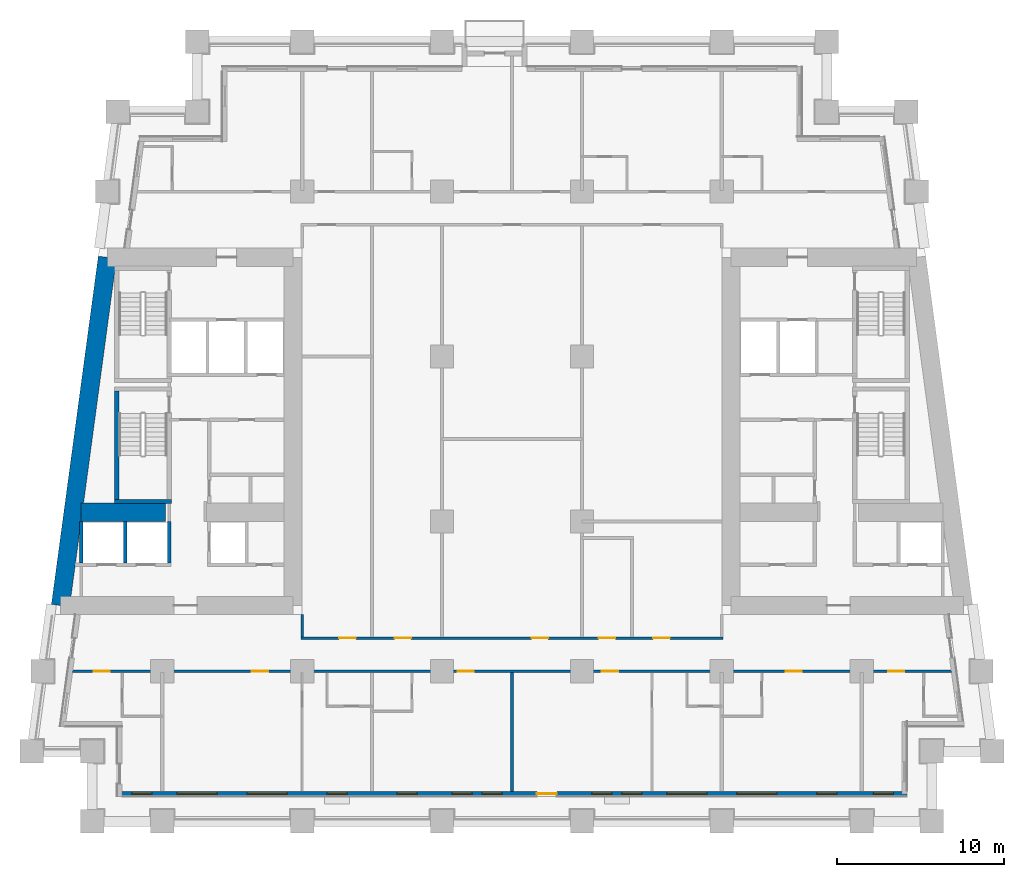
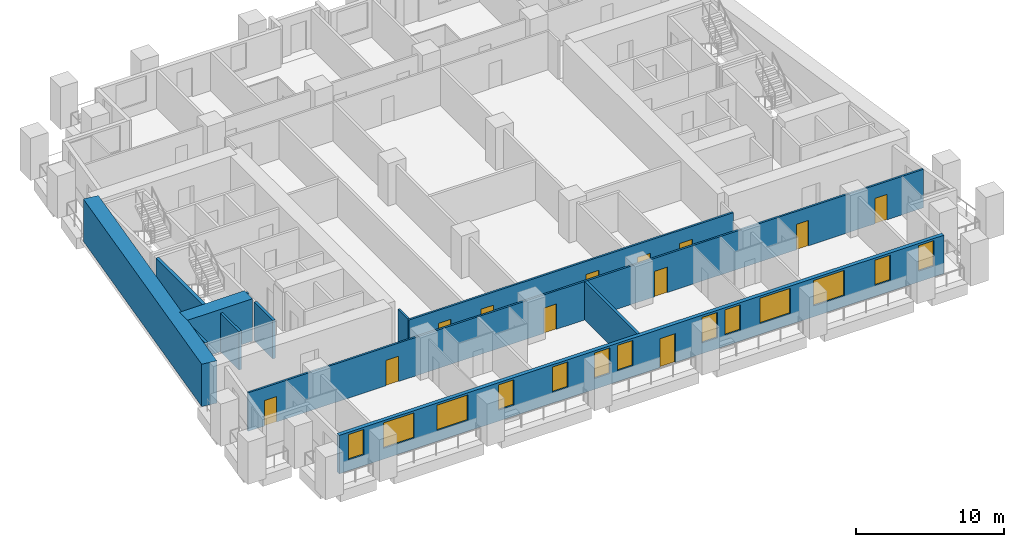
# One storey, part 3 of 12: 13 windows, 12 doors, 12 walls, 25 openings.
"""IFC4 building model written with IfcOpenShell, lengths in metres."""

from ifc_helpers import new_model, si_unit, direction, frame, frame_2d, origin, place, context, subcontext, project, spatial, rectangle, extrude, material, layer, layer_set, type_object, element, fill, save


model = new_model("IFC4")

# Units and contexts
model_context = context("Model", 3, precision=1e-05, world=origin(), true_north=direction((0.0, 1.0)))
body_context = subcontext(model_context, "Body", "Model", "MODEL_VIEW")
ifc_project = project(units=[si_unit("LENGTHUNIT", "METRE"), si_unit("AREAUNIT", "SQUARE_METRE"), si_unit("VOLUMEUNIT", "CUBIC_METRE"), si_unit("PLANEANGLEUNIT", "RADIAN"), si_unit("MASSUNIT", "GRAM", prefix="KILO")], contexts=[model_context])

# Site, building, storey
site_placement = place(None, origin())
site = spatial("IfcSite", under=ifc_project, at=site_placement, CompositionType="ELEMENT")
building_placement = place(site_placement, origin())
building = spatial("IfcBuilding", under=site, at=building_placement, Name="Candeia Pilgrim Tower and Theatre", CompositionType="ELEMENT")
storey_placement = place(building_placement, frame((0.0, 0.0, 74.0)))
storey = spatial("IfcBuildingStorey", under=building, at=storey_placement, Name="L16", CompositionType="ELEMENT", Elevation=74.0)

# Walls
ifc_material_1 = material(Name="Concrete C80/95", Category="concrete")
ifc_layer_1 = layer(ifc_material_1, 1.10009765625)
ifc_layer_set_1 = layer_set([ifc_layer_1], Name="Core wall 1100 C80/95")
wall_type_1 = type_object("IfcWallType", Name="Core wall 1100 C80/95", PredefinedType="SHEAR", material=ifc_layer_set_1)
wall_1_placement = place(storey_placement, frame((86.29833984375, 110.949951171875, 0.0), z_axis=(0.0, 0.0, 1.0), x_axis=(0.133400422634, 0.99106222168, 0.0)))
element("IfcWall", 1, at=wall_1_placement, inside=storey, type_object=wall_type_1, Name="Core wall W4", PredefinedType="SHEAR", context=body_context, shape_type="SweptSolid", body=[
    extrude(rectangle(XDim=21.088623046875, YDim=1.10009765625, at=frame_2d((10.54443359375, 0.0))), origin(), (0.0, 0.0, 1.0), 3.5),
])
wall_2_placement = place(storey_placement, frame((87.523193359375, 116.550048828125, 0.0), z_axis=(0.0, 0.0, 1.0), x_axis=(1.0, 0.0, 0.0)))
element("IfcWall", 2, at=wall_2_placement, inside=storey, type_object=wall_type_1, Name="Core wall W5", PredefinedType="SHEAR", context=body_context, shape_type="SweptSolid", body=[
    extrude(rectangle(XDim=5.076904296875, YDim=1.10009765625, at=frame_2d((2.53857421875, 0.0))), origin(), (0.0, 0.0, 1.0), 3.5),
])

# Wall, openings, door, windows
ifc_material_2 = material(Name="Ceramic block masonry", Category="masonry")
ifc_layer_2 = layer(ifc_material_2, 0.300048828125)
ifc_layer_set_2 = layer_set([ifc_layer_2], Name="EW1 glazing-line wall 300")
wall_type_2 = type_object("IfcWallType", Name="EW1 glazing-line wall 300", PredefinedType="SOLIDWALL", material=ifc_layer_set_2)
wall_3_placement = place(storey_placement, frame((89.85009765625, 99.64990234375, 0.0), z_axis=(0.0, 0.0, 1.0), x_axis=(1.0, 0.0, 0.0)))
wall_3 = element("IfcWall", 3, at=wall_3_placement, inside=storey, type_object=wall_type_2, Name="External wall L16-0.0", PredefinedType="SOLIDWALL", context=body_context, shape_type="SweptSolid", body=[
    extrude(rectangle(XDim=47.25, YDim=0.300048828125, at=frame_2d((23.625, 0.0))), origin(), (0.0, 0.0, 1.0), 3.179931640625),
])
opening_1_placement = place(wall_3_placement, frame((0.72509765625, 0.0, 0.89990234375)))
opening_1 = element("IfcOpeningElement", 4, at=opening_1_placement, cuts=wall_3, Name="Opening W-B", PredefinedType="OPENING", context=body_context, shape_type="SweptSolid", body=[
    extrude(rectangle(XDim=1.199951171875, YDim=2.10009765625, at=frame_2d((0.60009765625, 1.050048828125))), frame((0.0, 0.16015625, 0.0), z_axis=(0.0, -1.0, 0.0), x_axis=(1.0, 0.0, 0.0)), (0.0, 0.0, 1.0), 0.320068359375),
])
opening_2_placement = place(wall_3_placement, frame((3.449951171875, 0.0, 0.89990234375)))
opening_2 = element("IfcOpeningElement", 5, at=opening_2_placement, cuts=wall_3, Name="Opening W-A", PredefinedType="OPENING", context=body_context, shape_type="SweptSolid", body=[
    extrude(rectangle(XDim=2.39990234375, YDim=2.10009765625, at=frame_2d((1.199951171875, 1.050048828125))), frame((0.0, 0.16015625, 0.0), z_axis=(0.0, -1.0, 0.0), x_axis=(1.0, 0.0, 0.0)), (0.0, 0.0, 1.0), 0.320068359375),
])
opening_3_placement = place(wall_3_placement, frame((7.64990234375, 0.0, 0.89990234375)))
opening_3 = element("IfcOpeningElement", 6, at=opening_3_placement, cuts=wall_3, Name="Opening W-A", PredefinedType="OPENING", context=body_context, shape_type="SweptSolid", body=[
    extrude(rectangle(XDim=2.39990234375, YDim=2.10009765625, at=frame_2d((1.199951171875, 1.050048828125))), frame((0.0, 0.16015625, 0.0), z_axis=(0.0, -1.0, 0.0), x_axis=(1.0, 0.0, 0.0)), (0.0, 0.0, 1.0), 0.320068359375),
])
opening_4_placement = place(wall_3_placement, frame((12.449951171875, 0.0, 0.89990234375)))
opening_4 = element("IfcOpeningElement", 7, at=opening_4_placement, cuts=wall_3, Name="Opening W-B", PredefinedType="OPENING", context=body_context, shape_type="SweptSolid", body=[
    extrude(rectangle(XDim=1.199951171875, YDim=2.10009765625, at=frame_2d((0.60009765625, 1.050048828125))), frame((0.0, 0.16015625, 0.0), z_axis=(0.0, -1.0, 0.0), x_axis=(1.0, 0.0, 0.0)), (0.0, 0.0, 1.0), 0.320068359375),
])
opening_5_placement = place(wall_3_placement, frame((16.64990234375, 0.0, 0.89990234375)))
opening_5 = element("IfcOpeningElement", 8, at=opening_5_placement, cuts=wall_3, Name="Opening W-B", PredefinedType="OPENING", context=body_context, shape_type="SweptSolid", body=[
    extrude(rectangle(XDim=1.199951171875, YDim=2.10009765625, at=frame_2d((0.60009765625, 1.050048828125))), frame((0.0, 0.16015625, 0.0), z_axis=(0.0, -1.0, 0.0), x_axis=(1.0, 0.0, 0.0)), (0.0, 0.0, 1.0), 0.320068359375),
])
opening_6_placement = place(wall_3_placement, frame((19.949951171875, 0.0, 0.89990234375)))
opening_6 = element("IfcOpeningElement", 9, at=opening_6_placement, cuts=wall_3, Name="Opening W-B", PredefinedType="OPENING", context=body_context, shape_type="SweptSolid", body=[
    extrude(rectangle(XDim=1.199951171875, YDim=2.10009765625, at=frame_2d((0.60009765625, 1.050048828125))), frame((0.0, 0.16015625, 0.0), z_axis=(0.0, -1.0, 0.0), x_axis=(1.0, 0.0, 0.0)), (0.0, 0.0, 1.0), 0.320068359375),
])
opening_7_placement = place(wall_3_placement, frame((21.75, 0.0, 0.89990234375)))
opening_7 = element("IfcOpeningElement", 10, at=opening_7_placement, cuts=wall_3, Name="Opening W-B", PredefinedType="OPENING", context=body_context, shape_type="SweptSolid", body=[
    extrude(rectangle(XDim=1.199951171875, YDim=2.10009765625, at=frame_2d((0.60009765625, 1.050048828125))), frame((0.0, 0.16015625, 0.0), z_axis=(0.0, -1.0, 0.0), x_axis=(1.0, 0.0, 0.0)), (0.0, 0.0, 1.0), 0.320068359375),
])
opening_8_placement = place(wall_3_placement, frame((25.050048828125, 0.0, 0.0)))
opening_8 = element("IfcOpeningElement", 11, at=opening_8_placement, cuts=wall_3, Name="Opening L16-ED175", PredefinedType="OPENING", context=body_context, shape_type="SweptSolid", body=[
    extrude(rectangle(XDim=1.199951171875, YDim=2.39990234375, at=frame_2d((0.60009765625, 1.199951171875))), frame((0.0, 0.16015625, 0.0), z_axis=(0.0, -1.0, 0.0), x_axis=(1.0, 0.0, 0.0)), (0.0, 0.0, 1.0), 0.320068359375),
])
opening_9_placement = place(wall_3_placement, frame((28.35009765625, 0.0, 0.89990234375)))
opening_9 = element("IfcOpeningElement", 12, at=opening_9_placement, cuts=wall_3, Name="Opening W-B", PredefinedType="OPENING", context=body_context, shape_type="SweptSolid", body=[
    extrude(rectangle(XDim=1.199951171875, YDim=2.10009765625, at=frame_2d((0.60009765625, 1.050048828125))), frame((0.0, 0.16015625, 0.0), z_axis=(0.0, -1.0, 0.0), x_axis=(1.0, 0.0, 0.0)), (0.0, 0.0, 1.0), 0.320068359375),
])
opening_10_placement = place(wall_3_placement, frame((30.14990234375, 0.0, 0.89990234375)))
opening_10 = element("IfcOpeningElement", 13, at=opening_10_placement, cuts=wall_3, Name="Opening W-B", PredefinedType="OPENING", context=body_context, shape_type="SweptSolid", body=[
    extrude(rectangle(XDim=1.199951171875, YDim=2.10009765625, at=frame_2d((0.60009765625, 1.050048828125))), frame((0.0, 0.16015625, 0.0), z_axis=(0.0, -1.0, 0.0), x_axis=(1.0, 0.0, 0.0)), (0.0, 0.0, 1.0), 0.320068359375),
])
opening_11_placement = place(wall_3_placement, frame((32.85009765625, 0.0, 0.89990234375)))
opening_11 = element("IfcOpeningElement", 14, at=opening_11_placement, cuts=wall_3, Name="Opening W-A", PredefinedType="OPENING", context=body_context, shape_type="SweptSolid", body=[
    extrude(rectangle(XDim=2.39990234375, YDim=2.10009765625, at=frame_2d((1.199951171875, 1.050048828125))), frame((0.0, 0.16015625, 0.0), z_axis=(0.0, -1.0, 0.0), x_axis=(1.0, 0.0, 0.0)), (0.0, 0.0, 1.0), 0.320068359375),
])
opening_12_placement = place(wall_3_placement, frame((37.050048828125, 0.0, 0.89990234375)))
opening_12 = element("IfcOpeningElement", 15, at=opening_12_placement, cuts=wall_3, Name="Opening W-A", PredefinedType="OPENING", context=body_context, shape_type="SweptSolid", body=[
    extrude(rectangle(XDim=2.39990234375, YDim=2.10009765625, at=frame_2d((1.199951171875, 1.050048828125))), frame((0.0, 0.16015625, 0.0), z_axis=(0.0, -1.0, 0.0), x_axis=(1.0, 0.0, 0.0)), (0.0, 0.0, 1.0), 0.320068359375),
])
opening_13_placement = place(wall_3_placement, frame((41.85009765625, 0.0, 0.89990234375)))
opening_13 = element("IfcOpeningElement", 16, at=opening_13_placement, cuts=wall_3, Name="Opening W-B", PredefinedType="OPENING", context=body_context, shape_type="SweptSolid", body=[
    extrude(rectangle(XDim=1.199951171875, YDim=2.10009765625, at=frame_2d((0.60009765625, 1.050048828125))), frame((0.0, 0.16015625, 0.0), z_axis=(0.0, -1.0, 0.0), x_axis=(1.0, 0.0, 0.0)), (0.0, 0.0, 1.0), 0.320068359375),
])
opening_14_placement = place(wall_3_placement, frame((45.25, 0.0, 0.89990234375)))
opening_14 = element("IfcOpeningElement", 17, at=opening_14_placement, cuts=wall_3, Name="Opening W-B", PredefinedType="OPENING", context=body_context, shape_type="SweptSolid", body=[
    extrude(rectangle(XDim=1.199951171875, YDim=2.10009765625, at=frame_2d((0.60009765625, 1.050048828125))), frame((0.0, 0.16015625, 0.0), z_axis=(0.0, -1.0, 0.0), x_axis=(1.0, 0.0, 0.0)), (0.0, 0.0, 1.0), 0.320068359375),
])
ifc_material_3 = material(Name="Aluminium framed glazed door", Category="aluminium")
door_type_1 = type_object("IfcDoorType", Name="Loggia door 1200x2400", OperationType="DOUBLE_DOOR_SINGLE_SWING", PredefinedType="DOOR", material=ifc_material_3)
door_1_placement = place(opening_8_placement, origin())
door_1 = element("IfcDoor", 18, at=door_1_placement, inside=storey, type_object=door_type_1, Name="Loggia door L16-ED175", OperationType="DOUBLE_DOOR_SINGLE_SWING", OverallHeight=2.39990234375, OverallWidth=1.199951171875, PredefinedType="DOOR", context=body_context, shape_type="SweptSolid", body=[
    extrude(rectangle(XDim=1.199951171875, YDim=2.39990234375, at=frame_2d((0.60009765625, 1.199951171875))), frame((0.0, 0.02490234375, 0.0), z_axis=(0.0, -1.0, 0.0), x_axis=(1.0, 0.0, 0.0)), (0.0, 0.0, 1.0), 0.050048828125),
])
fill(opening_8, door_1)
ifc_material_4 = material(Name="Aluminium framed double glazing", Category="aluminium")
window_type_1 = type_object("IfcWindowType", Name="W-A window 2400x2100", PartitioningType="DOUBLE_PANEL_VERTICAL", PredefinedType="WINDOW", material=ifc_material_4)
window_1_placement = place(opening_2_placement, origin())
window_1 = element("IfcWindow", 19, at=window_1_placement, inside=storey, type_object=window_type_1, Name="Window W-A L16", OverallHeight=2.10009765625, OverallWidth=2.39990234375, PartitioningType="SINGLE_PANEL", PredefinedType="WINDOW", context=body_context, shape_type="SweptSolid", body=[
    extrude(rectangle(XDim=2.39990234375, YDim=2.10009765625, at=frame_2d((1.199951171875, 1.050048828125))), frame((0.0, 0.030029296875, 0.0), z_axis=(0.0, -1.0, 0.0), x_axis=(1.0, 0.0, 0.0)), (0.0, 0.0, 1.0), 0.06005859375),
])
fill(opening_2, window_1)
window_2_placement = place(opening_3_placement, origin())
window_2 = element("IfcWindow", 20, at=window_2_placement, inside=storey, type_object=window_type_1, Name="Window W-A L16", OverallHeight=2.10009765625, OverallWidth=2.39990234375, PartitioningType="SINGLE_PANEL", PredefinedType="WINDOW", context=body_context, shape_type="SweptSolid", body=[
    extrude(rectangle(XDim=2.39990234375, YDim=2.10009765625, at=frame_2d((1.199951171875, 1.050048828125))), frame((0.0, 0.030029296875, 0.0), z_axis=(0.0, -1.0, 0.0), x_axis=(1.0, 0.0, 0.0)), (0.0, 0.0, 1.0), 0.06005859375),
])
fill(opening_3, window_2)
window_3_placement = place(opening_11_placement, origin())
window_3 = element("IfcWindow", 21, at=window_3_placement, inside=storey, type_object=window_type_1, Name="Window W-A L16", OverallHeight=2.10009765625, OverallWidth=2.39990234375, PartitioningType="SINGLE_PANEL", PredefinedType="WINDOW", context=body_context, shape_type="SweptSolid", body=[
    extrude(rectangle(XDim=2.39990234375, YDim=2.10009765625, at=frame_2d((1.199951171875, 1.050048828125))), frame((0.0, 0.030029296875, 0.0), z_axis=(0.0, -1.0, 0.0), x_axis=(1.0, 0.0, 0.0)), (0.0, 0.0, 1.0), 0.06005859375),
])
fill(opening_11, window_3)
window_4_placement = place(opening_12_placement, origin())
window_4 = element("IfcWindow", 22, at=window_4_placement, inside=storey, type_object=window_type_1, Name="Window W-A L16", OverallHeight=2.10009765625, OverallWidth=2.39990234375, PartitioningType="SINGLE_PANEL", PredefinedType="WINDOW", context=body_context, shape_type="SweptSolid", body=[
    extrude(rectangle(XDim=2.39990234375, YDim=2.10009765625, at=frame_2d((1.199951171875, 1.050048828125))), frame((0.0, 0.030029296875, 0.0), z_axis=(0.0, -1.0, 0.0), x_axis=(1.0, 0.0, 0.0)), (0.0, 0.0, 1.0), 0.06005859375),
])
fill(opening_12, window_4)
window_type_2 = type_object("IfcWindowType", Name="W-B window 1200x2100", PartitioningType="SINGLE_PANEL", PredefinedType="WINDOW", material=ifc_material_4)
window_5_placement = place(opening_1_placement, origin())
window_5 = element("IfcWindow", 23, at=window_5_placement, inside=storey, type_object=window_type_2, Name="Window W-B L16", OverallHeight=2.10009765625, OverallWidth=1.199951171875, PartitioningType="SINGLE_PANEL", PredefinedType="WINDOW", context=body_context, shape_type="SweptSolid", body=[
    extrude(rectangle(XDim=1.199951171875, YDim=2.10009765625, at=frame_2d((0.60009765625, 1.050048828125))), frame((0.0, 0.030029296875, 0.0), z_axis=(0.0, -1.0, 0.0), x_axis=(1.0, 0.0, 0.0)), (0.0, 0.0, 1.0), 0.06005859375),
])
fill(opening_1, window_5)
window_6_placement = place(opening_4_placement, origin())
window_6 = element("IfcWindow", 24, at=window_6_placement, inside=storey, type_object=window_type_2, Name="Window W-B L16", OverallHeight=2.10009765625, OverallWidth=1.199951171875, PartitioningType="SINGLE_PANEL", PredefinedType="WINDOW", context=body_context, shape_type="SweptSolid", body=[
    extrude(rectangle(XDim=1.199951171875, YDim=2.10009765625, at=frame_2d((0.60009765625, 1.050048828125))), frame((0.0, 0.030029296875, 0.0), z_axis=(0.0, -1.0, 0.0), x_axis=(1.0, 0.0, 0.0)), (0.0, 0.0, 1.0), 0.06005859375),
])
fill(opening_4, window_6)
window_7_placement = place(opening_5_placement, origin())
window_7 = element("IfcWindow", 25, at=window_7_placement, inside=storey, type_object=window_type_2, Name="Window W-B L16", OverallHeight=2.10009765625, OverallWidth=1.199951171875, PartitioningType="SINGLE_PANEL", PredefinedType="WINDOW", context=body_context, shape_type="SweptSolid", body=[
    extrude(rectangle(XDim=1.199951171875, YDim=2.10009765625, at=frame_2d((0.60009765625, 1.050048828125))), frame((0.0, 0.030029296875, 0.0), z_axis=(0.0, -1.0, 0.0), x_axis=(1.0, 0.0, 0.0)), (0.0, 0.0, 1.0), 0.06005859375),
])
fill(opening_5, window_7)
window_8_placement = place(opening_6_placement, origin())
window_8 = element("IfcWindow", 26, at=window_8_placement, inside=storey, type_object=window_type_2, Name="Window W-B L16", OverallHeight=2.10009765625, OverallWidth=1.199951171875, PartitioningType="SINGLE_PANEL", PredefinedType="WINDOW", context=body_context, shape_type="SweptSolid", body=[
    extrude(rectangle(XDim=1.199951171875, YDim=2.10009765625, at=frame_2d((0.60009765625, 1.050048828125))), frame((0.0, 0.030029296875, 0.0), z_axis=(0.0, -1.0, 0.0), x_axis=(1.0, 0.0, 0.0)), (0.0, 0.0, 1.0), 0.06005859375),
])
fill(opening_6, window_8)
window_9_placement = place(opening_7_placement, origin())
window_9 = element("IfcWindow", 27, at=window_9_placement, inside=storey, type_object=window_type_2, Name="Window W-B L16", OverallHeight=2.10009765625, OverallWidth=1.199951171875, PartitioningType="SINGLE_PANEL", PredefinedType="WINDOW", context=body_context, shape_type="SweptSolid", body=[
    extrude(rectangle(XDim=1.199951171875, YDim=2.10009765625, at=frame_2d((0.60009765625, 1.050048828125))), frame((0.0, 0.030029296875, 0.0), z_axis=(0.0, -1.0, 0.0), x_axis=(1.0, 0.0, 0.0)), (0.0, 0.0, 1.0), 0.06005859375),
])
fill(opening_7, window_9)
window_10_placement = place(opening_9_placement, origin())
window_10 = element("IfcWindow", 28, at=window_10_placement, inside=storey, type_object=window_type_2, Name="Window W-B L16", OverallHeight=2.10009765625, OverallWidth=1.199951171875, PartitioningType="SINGLE_PANEL", PredefinedType="WINDOW", context=body_context, shape_type="SweptSolid", body=[
    extrude(rectangle(XDim=1.199951171875, YDim=2.10009765625, at=frame_2d((0.60009765625, 1.050048828125))), frame((0.0, 0.030029296875, 0.0), z_axis=(0.0, -1.0, 0.0), x_axis=(1.0, 0.0, 0.0)), (0.0, 0.0, 1.0), 0.06005859375),
])
fill(opening_9, window_10)
window_11_placement = place(opening_10_placement, origin())
window_11 = element("IfcWindow", 29, at=window_11_placement, inside=storey, type_object=window_type_2, Name="Window W-B L16", OverallHeight=2.10009765625, OverallWidth=1.199951171875, PartitioningType="SINGLE_PANEL", PredefinedType="WINDOW", context=body_context, shape_type="SweptSolid", body=[
    extrude(rectangle(XDim=1.199951171875, YDim=2.10009765625, at=frame_2d((0.60009765625, 1.050048828125))), frame((0.0, 0.030029296875, 0.0), z_axis=(0.0, -1.0, 0.0), x_axis=(1.0, 0.0, 0.0)), (0.0, 0.0, 1.0), 0.06005859375),
])
fill(opening_10, window_11)
window_12_placement = place(opening_13_placement, origin())
window_12 = element("IfcWindow", 30, at=window_12_placement, inside=storey, type_object=window_type_2, Name="Window W-B L16", OverallHeight=2.10009765625, OverallWidth=1.199951171875, PartitioningType="SINGLE_PANEL", PredefinedType="WINDOW", context=body_context, shape_type="SweptSolid", body=[
    extrude(rectangle(XDim=1.199951171875, YDim=2.10009765625, at=frame_2d((0.60009765625, 1.050048828125))), frame((0.0, 0.030029296875, 0.0), z_axis=(0.0, -1.0, 0.0), x_axis=(1.0, 0.0, 0.0)), (0.0, 0.0, 1.0), 0.06005859375),
])
fill(opening_13, window_12)
window_13_placement = place(opening_14_placement, origin())
window_13 = element("IfcWindow", 31, at=window_13_placement, inside=storey, type_object=window_type_2, Name="Window W-B L16", OverallHeight=2.10009765625, OverallWidth=1.199951171875, PartitioningType="SINGLE_PANEL", PredefinedType="WINDOW", context=body_context, shape_type="SweptSolid", body=[
    extrude(rectangle(XDim=1.199951171875, YDim=2.10009765625, at=frame_2d((0.60009765625, 1.050048828125))), frame((0.0, 0.030029296875, 0.0), z_axis=(0.0, -1.0, 0.0), x_axis=(1.0, 0.0, 0.0)), (0.0, 0.0, 1.0), 0.06005859375),
])
fill(opening_14, window_13)

# Wall, openings, doors
ifc_material_5 = material(Name="Gypsum board partition on steel studs", Category="steel")
ifc_layer_3 = layer(ifc_material_5, 0.14990234375)
ifc_layer_set_3 = layer_set([ifc_layer_3], Name="PW-150 unit wall")
wall_type_3 = type_object("IfcWallType", Name="PW-150 unit wall", PredefinedType="PARTITIONING", material=ifc_layer_set_3)
wall_4_placement = place(storey_placement, frame((87.017578125, 107.0, 0.0), z_axis=(0.0, 0.0, 1.0), x_axis=(1.0, 0.0, 0.0)))
wall_4 = element("IfcWall", 32, at=wall_4_placement, inside=storey, type_object=wall_type_3, Name="Unit wall L16-007", PredefinedType="PARTITIONING", context=body_context, shape_type="SweptSolid", body=[
    extrude(rectangle(XDim=52.7646484375, YDim=0.14990234375, at=frame_2d((26.38232421875, 0.0))), origin(), (0.0, 0.0, 1.0), 3.179931640625),
])
opening_15_placement = place(wall_4_placement, frame((1.2763671875, 0.0, 0.0)))
opening_15 = element("IfcOpeningElement", 33, at=opening_15_placement, cuts=wall_4, Name="Opening L16-D014", PredefinedType="OPENING", context=body_context, shape_type="SweptSolid", body=[
    extrude(rectangle(XDim=0.949951171875, YDim=2.10009765625, at=frame_2d((0.47509765625, 1.050048828125))), frame((0.0, 0.0849609375, 0.0), z_axis=(0.0, -1.0, 0.0), x_axis=(1.0, 0.0, 0.0)), (0.0, 0.0, 1.0), 0.169921875),
])
opening_16_placement = place(wall_4_placement, frame((10.75732421875, 0.0, 0.0)))
opening_16 = element("IfcOpeningElement", 34, at=opening_16_placement, cuts=wall_4, Name="Opening L16-D016", PredefinedType="OPENING", context=body_context, shape_type="SweptSolid", body=[
    extrude(rectangle(XDim=1.0, YDim=2.10009765625, at=frame_2d((0.5, 1.050048828125))), frame((0.0, 0.0849609375, 0.0), z_axis=(0.0, -1.0, 0.0), x_axis=(1.0, 0.0, 0.0)), (0.0, 0.0, 1.0), 0.169921875),
])
opening_17_placement = place(wall_4_placement, frame((23.125244140625, 0.0, 0.0)))
opening_17 = element("IfcOpeningElement", 35, at=opening_17_placement, cuts=wall_4, Name="Opening L16-D019", PredefinedType="OPENING", context=body_context, shape_type="SweptSolid", body=[
    extrude(rectangle(XDim=0.949951171875, YDim=2.10009765625, at=frame_2d((0.47509765625, 1.050048828125))), frame((0.0, 0.0849609375, 0.0), z_axis=(0.0, -1.0, 0.0), x_axis=(1.0, 0.0, 0.0)), (0.0, 0.0, 1.0), 0.169921875),
])
opening_18_placement = place(wall_4_placement, frame((31.75732421875, 0.0, 0.0)))
opening_18 = element("IfcOpeningElement", 36, at=opening_18_placement, cuts=wall_4, Name="Opening L16-D021", PredefinedType="OPENING", context=body_context, shape_type="SweptSolid", body=[
    extrude(rectangle(XDim=1.0, YDim=2.10009765625, at=frame_2d((0.5, 1.050048828125))), frame((0.0, 0.0849609375, 0.0), z_axis=(0.0, -1.0, 0.0), x_axis=(1.0, 0.0, 0.0)), (0.0, 0.0, 1.0), 0.169921875),
])
opening_19_placement = place(wall_4_placement, frame((42.8193359375, 0.0, 0.0)))
opening_19 = element("IfcOpeningElement", 37, at=opening_19_placement, cuts=wall_4, Name="Opening L16-D024", PredefinedType="OPENING", context=body_context, shape_type="SweptSolid", body=[
    extrude(rectangle(XDim=0.949951171875, YDim=2.10009765625, at=frame_2d((0.47509765625, 1.050048828125))), frame((0.0, 0.0849609375, 0.0), z_axis=(0.0, -1.0, 0.0), x_axis=(1.0, 0.0, 0.0)), (0.0, 0.0, 1.0), 0.169921875),
])
opening_20_placement = place(wall_4_placement, frame((48.974365234375, 0.0, 0.0)))
opening_20 = element("IfcOpeningElement", 38, at=opening_20_placement, cuts=wall_4, Name="Opening L16-D026", PredefinedType="OPENING", context=body_context, shape_type="SweptSolid", body=[
    extrude(rectangle(XDim=0.949951171875, YDim=2.10009765625, at=frame_2d((0.47509765625, 1.050048828125))), frame((0.0, 0.0849609375, 0.0), z_axis=(0.0, -1.0, 0.0), x_axis=(1.0, 0.0, 0.0)), (0.0, 0.0, 1.0), 0.169921875),
])
ifc_material_6 = material(Name="Steel fire door set", Category="steel")
door_type_2 = type_object("IfcDoorType", Name="D-1000-FD30S", OperationType="NOTDEFINED", PredefinedType="DOOR", material=ifc_material_6)
door_2_placement = place(opening_16_placement, origin())
door_2 = element("IfcDoor", 39, at=door_2_placement, inside=storey, type_object=door_type_2, Name="Door L16-D016", OperationType="SINGLE_SWING_RIGHT", OverallHeight=2.10009765625, OverallWidth=1.0, PredefinedType="DOOR", context=body_context, shape_type="SweptSolid", body=[
    extrude(rectangle(XDim=1.0, YDim=2.10009765625, at=frame_2d((0.5, 1.050048828125))), frame((0.0, 0.02490234375, 0.0), z_axis=(0.0, -1.0, 0.0), x_axis=(1.0, 0.0, 0.0)), (0.0, 0.0, 1.0), 0.050048828125),
])
fill(opening_16, door_2)
door_3_placement = place(opening_18_placement, origin())
door_3 = element("IfcDoor", 40, at=door_3_placement, inside=storey, type_object=door_type_2, Name="Door L16-D021", OperationType="SINGLE_SWING_LEFT", OverallHeight=2.10009765625, OverallWidth=1.0, PredefinedType="DOOR", context=body_context, shape_type="SweptSolid", body=[
    extrude(rectangle(XDim=1.0, YDim=2.10009765625, at=frame_2d((0.5, 1.050048828125))), frame((0.0, 0.02490234375, 0.0), z_axis=(0.0, -1.0, 0.0), x_axis=(1.0, 0.0, 0.0)), (0.0, 0.0, 1.0), 0.050048828125),
])
fill(opening_18, door_3)
door_type_3 = type_object("IfcDoorType", Name="D-950-FD30S", OperationType="NOTDEFINED", PredefinedType="DOOR", material=ifc_material_6)
door_4_placement = place(opening_15_placement, origin())
door_4 = element("IfcDoor", 41, at=door_4_placement, inside=storey, type_object=door_type_3, Name="Door L16-D014", OperationType="SINGLE_SWING_RIGHT", OverallHeight=2.10009765625, OverallWidth=0.949951171875, PredefinedType="DOOR", context=body_context, shape_type="SweptSolid", body=[
    extrude(rectangle(XDim=0.949951171875, YDim=2.10009765625, at=frame_2d((0.47509765625, 1.050048828125))), frame((0.0, 0.02490234375, 0.0), z_axis=(0.0, -1.0, 0.0), x_axis=(1.0, 0.0, 0.0)), (0.0, 0.0, 1.0), 0.050048828125),
])
fill(opening_15, door_4)
door_5_placement = place(opening_17_placement, origin())
door_5 = element("IfcDoor", 42, at=door_5_placement, inside=storey, type_object=door_type_3, Name="Door L16-D019", OperationType="SINGLE_SWING_LEFT", OverallHeight=2.10009765625, OverallWidth=0.949951171875, PredefinedType="DOOR", context=body_context, shape_type="SweptSolid", body=[
    extrude(rectangle(XDim=0.949951171875, YDim=2.10009765625, at=frame_2d((0.47509765625, 1.050048828125))), frame((0.0, 0.02490234375, 0.0), z_axis=(0.0, -1.0, 0.0), x_axis=(1.0, 0.0, 0.0)), (0.0, 0.0, 1.0), 0.050048828125),
])
fill(opening_17, door_5)
door_6_placement = place(opening_19_placement, origin())
door_6 = element("IfcDoor", 43, at=door_6_placement, inside=storey, type_object=door_type_3, Name="Door L16-D024", OperationType="SINGLE_SWING_RIGHT", OverallHeight=2.10009765625, OverallWidth=0.949951171875, PredefinedType="DOOR", context=body_context, shape_type="SweptSolid", body=[
    extrude(rectangle(XDim=0.949951171875, YDim=2.10009765625, at=frame_2d((0.47509765625, 1.050048828125))), frame((0.0, 0.02490234375, 0.0), z_axis=(0.0, -1.0, 0.0), x_axis=(1.0, 0.0, 0.0)), (0.0, 0.0, 1.0), 0.050048828125),
])
fill(opening_19, door_6)
door_7_placement = place(opening_20_placement, origin())
door_7 = element("IfcDoor", 44, at=door_7_placement, inside=storey, type_object=door_type_3, Name="Door L16-D026", OperationType="SINGLE_SWING_RIGHT", OverallHeight=2.10009765625, OverallWidth=0.949951171875, PredefinedType="DOOR", context=body_context, shape_type="SweptSolid", body=[
    extrude(rectangle(XDim=0.949951171875, YDim=2.10009765625, at=frame_2d((0.47509765625, 1.050048828125))), frame((0.0, 0.02490234375, 0.0), z_axis=(0.0, -1.0, 0.0), x_axis=(1.0, 0.0, 0.0)), (0.0, 0.0, 1.0), 0.050048828125),
])
fill(opening_20, door_7)

wall_5_placement = place(storey_placement, frame((100.72509765625, 109.0, 0.0), z_axis=(0.0, 0.0, 1.0), x_axis=(1.0, 0.0, 0.0)))
wall_5 = element("IfcWall", 45, at=wall_5_placement, inside=storey, type_object=wall_type_3, Name="Unit wall L16-008", PredefinedType="PARTITIONING", context=body_context, shape_type="SweptSolid", body=[
    extrude(rectangle(XDim=25.349853515625, YDim=0.14990234375, at=frame_2d((12.6748046875, 0.0))), origin(), (0.0, 0.0, 1.0), 3.179931640625),
])
opening_21_placement = place(wall_5_placement, frame((21.14990234375, 0.0, 0.0)))
opening_21 = element("IfcOpeningElement", 46, at=opening_21_placement, cuts=wall_5, Name="Opening L16-D038", PredefinedType="OPENING", context=body_context, shape_type="SweptSolid", body=[
    extrude(rectangle(XDim=1.0, YDim=2.10009765625, at=frame_2d((0.5, 1.050048828125))), frame((0.0, 0.0849609375, 0.0), z_axis=(0.0, -1.0, 0.0), x_axis=(1.0, 0.0, 0.0)), (0.0, 0.0, 1.0), 0.169921875),
])
opening_22_placement = place(wall_5_placement, frame((2.300048828125, 0.0, 0.0)))
opening_22 = element("IfcOpeningElement", 47, at=opening_22_placement, cuts=wall_5, Name="Opening L16-D039", PredefinedType="OPENING", context=body_context, shape_type="SweptSolid", body=[
    extrude(rectangle(XDim=1.0, YDim=2.10009765625, at=frame_2d((0.5, 1.050048828125))), frame((0.0, 0.0849609375, 0.0), z_axis=(0.0, -1.0, 0.0), x_axis=(1.0, 0.0, 0.0)), (0.0, 0.0, 1.0), 0.169921875),
])
opening_23_placement = place(wall_5_placement, frame((5.625, 0.0, 0.0)))
opening_23 = element("IfcOpeningElement", 48, at=opening_23_placement, cuts=wall_5, Name="Opening L16-D041", PredefinedType="OPENING", context=body_context, shape_type="SweptSolid", body=[
    extrude(rectangle(XDim=1.0, YDim=2.10009765625, at=frame_2d((0.5, 1.050048828125))), frame((0.0, 0.0849609375, 0.0), z_axis=(0.0, -1.0, 0.0), x_axis=(1.0, 0.0, 0.0)), (0.0, 0.0, 1.0), 0.169921875),
])
opening_24_placement = place(wall_5_placement, frame((13.85009765625, 0.0, 0.0)))
opening_24 = element("IfcOpeningElement", 49, at=opening_24_placement, cuts=wall_5, Name="Opening L16-D042", PredefinedType="OPENING", context=body_context, shape_type="SweptSolid", body=[
    extrude(rectangle(XDim=1.0, YDim=2.10009765625, at=frame_2d((0.5, 1.050048828125))), frame((0.0, 0.0849609375, 0.0), z_axis=(0.0, -1.0, 0.0), x_axis=(1.0, 0.0, 0.0)), (0.0, 0.0, 1.0), 0.169921875),
])
opening_25_placement = place(wall_5_placement, frame((17.875, 0.0, 0.0)))
opening_25 = element("IfcOpeningElement", 50, at=opening_25_placement, cuts=wall_5, Name="Opening L16-D044", PredefinedType="OPENING", context=body_context, shape_type="SweptSolid", body=[
    extrude(rectangle(XDim=1.0, YDim=2.10009765625, at=frame_2d((0.5, 1.050048828125))), frame((0.0, 0.0849609375, 0.0), z_axis=(0.0, -1.0, 0.0), x_axis=(1.0, 0.0, 0.0)), (0.0, 0.0, 1.0), 0.169921875),
])
door_8_placement = place(opening_21_placement, origin())
door_8 = element("IfcDoor", 51, at=door_8_placement, inside=storey, type_object=door_type_2, Name="Door L16-D038", OperationType="SINGLE_SWING_RIGHT", OverallHeight=2.10009765625, OverallWidth=1.0, PredefinedType="DOOR", context=body_context, shape_type="SweptSolid", body=[
    extrude(rectangle(XDim=1.0, YDim=2.10009765625, at=frame_2d((0.5, 1.050048828125))), frame((0.0, 0.02490234375, 0.0), z_axis=(0.0, -1.0, 0.0), x_axis=(1.0, 0.0, 0.0)), (0.0, 0.0, 1.0), 0.050048828125),
])
fill(opening_21, door_8)
door_9_placement = place(opening_22_placement, origin())
door_9 = element("IfcDoor", 52, at=door_9_placement, inside=storey, type_object=door_type_2, Name="Door L16-D039", OperationType="SINGLE_SWING_LEFT", OverallHeight=2.10009765625, OverallWidth=1.0, PredefinedType="DOOR", context=body_context, shape_type="SweptSolid", body=[
    extrude(rectangle(XDim=1.0, YDim=2.10009765625, at=frame_2d((0.5, 1.050048828125))), frame((0.0, 0.02490234375, 0.0), z_axis=(0.0, -1.0, 0.0), x_axis=(1.0, 0.0, 0.0)), (0.0, 0.0, 1.0), 0.050048828125),
])
fill(opening_22, door_9)
door_10_placement = place(opening_23_placement, origin())
door_10 = element("IfcDoor", 53, at=door_10_placement, inside=storey, type_object=door_type_2, Name="Door L16-D041", OperationType="SINGLE_SWING_LEFT", OverallHeight=2.10009765625, OverallWidth=1.0, PredefinedType="DOOR", context=body_context, shape_type="SweptSolid", body=[
    extrude(rectangle(XDim=1.0, YDim=2.10009765625, at=frame_2d((0.5, 1.050048828125))), frame((0.0, 0.02490234375, 0.0), z_axis=(0.0, -1.0, 0.0), x_axis=(1.0, 0.0, 0.0)), (0.0, 0.0, 1.0), 0.050048828125),
])
fill(opening_23, door_10)
door_11_placement = place(opening_24_placement, origin())
door_11 = element("IfcDoor", 54, at=door_11_placement, inside=storey, type_object=door_type_2, Name="Door L16-D042", OperationType="SINGLE_SWING_RIGHT", OverallHeight=2.10009765625, OverallWidth=1.0, PredefinedType="DOOR", context=body_context, shape_type="SweptSolid", body=[
    extrude(rectangle(XDim=1.0, YDim=2.10009765625, at=frame_2d((0.5, 1.050048828125))), frame((0.0, 0.02490234375, 0.0), z_axis=(0.0, -1.0, 0.0), x_axis=(1.0, 0.0, 0.0)), (0.0, 0.0, 1.0), 0.050048828125),
])
fill(opening_24, door_11)
door_12_placement = place(opening_25_placement, origin())
door_12 = element("IfcDoor", 55, at=door_12_placement, inside=storey, type_object=door_type_2, Name="Door L16-D044", OperationType="SINGLE_SWING_RIGHT", OverallHeight=2.10009765625, OverallWidth=1.0, PredefinedType="DOOR", context=body_context, shape_type="SweptSolid", body=[
    extrude(rectangle(XDim=1.0, YDim=2.10009765625, at=frame_2d((0.5, 1.050048828125))), frame((0.0, 0.02490234375, 0.0), z_axis=(0.0, -1.0, 0.0), x_axis=(1.0, 0.0, 0.0)), (0.0, 0.0, 1.0), 0.050048828125),
])
fill(opening_25, door_12)

# Walls
wall_6_placement = place(storey_placement, frame((100.800048828125, 109.074951171875, 0.0), z_axis=(0.0, 0.0, 1.0), x_axis=(0.0, 1.0, 0.0)))
element("IfcWall", 56, at=wall_6_placement, inside=storey, type_object=wall_type_3, Name="Unit wall L16-065", PredefinedType="PARTITIONING", context=body_context, shape_type="SweptSolid", body=[
    extrude(rectangle(XDim=1.324951171875, YDim=0.14990234375, at=frame_2d((0.66259765625, 0.0))), origin(), (0.0, 0.0, 1.0), 3.179931640625),
])
ifc_layer_4 = layer(ifc_material_5, 0.199951171875)
ifc_layer_set_4 = layer_set([ifc_layer_4], Name="PW-200 party wall")
wall_type_4 = type_object("IfcWallType", Name="PW-200 party wall", PredefinedType="PARTITIONING", material=ifc_layer_set_4)
wall_7_placement = place(storey_placement, frame((113.39990234375, 99.7900390625, 0.0), z_axis=(0.0, 0.0, 1.0), x_axis=(0.0, 1.0, 0.0)))
element("IfcWall", 57, at=wall_7_placement, inside=storey, type_object=wall_type_4, Name="Party wall L16-074", PredefinedType="PARTITIONING", context=body_context, shape_type="SweptSolid", body=[
    extrude(rectangle(XDim=7.135009765625, YDim=0.199951171875, at=frame_2d((3.5673828125, 0.0))), origin(), (0.0, 0.0, 1.0), 3.179931640625),
])
ifc_material_7 = material(Name="Concrete C40/50", Category="concrete")
ifc_layer_5 = layer(ifc_material_7, 0.199951171875)
ifc_layer_set_5 = layer_set([ifc_layer_5], Name="SW-200 shaft wall")
wall_type_5 = type_object("IfcWallType", Name="SW-200 shaft wall", PredefinedType="PARTITIONING", material=ifc_layer_set_5)
for number, where, z_axis, x_axis, name in (
    (58, (87.552001953125, 113.5, 0.0), (0.0, 0.0, 1.0), (0.0, 1.0, 0.0), "Shaft wall L16-043"),
    (59, (90.178466796875, 113.5, 0.0), (0.0, 0.0, 1.0), (0.0, 1.0, 0.0), "Shaft wall L16-048"),
    (60, (92.826904296875, 113.5, 0.0), (0.0, 0.0, 1.0), (0.0, 1.0, 0.0), "Shaft wall L16-050"),
):
    element("IfcWall", number, at=place(storey_placement, frame(where, z_axis=z_axis, x_axis=x_axis)), inside=storey, type_object=wall_type_5, Name=name, PredefinedType="PARTITIONING", context=body_context, shape_type="SweptSolid", body=[
        extrude(rectangle(XDim=2.5, YDim=0.199951171875, at=frame_2d((1.25, 0.0))), origin(), (0.0, 0.0, 1.0), 3.179931640625),
    ])
ifc_layer_6 = layer(ifc_material_7, 0.25)
ifc_layer_set_6 = layer_set([ifc_layer_6], Name="SW-250 stair wall")
wall_type_6 = type_object("IfcWallType", Name="SW-250 stair wall", PredefinedType="PARTITIONING", material=ifc_layer_set_6)
wall_8_placement = place(storey_placement, frame((89.552001953125, 117.199951171875, 0.0), z_axis=(0.0, 0.0, 1.0), x_axis=(1.0, 0.0, 0.0)))
element("IfcWall", 61, at=wall_8_placement, inside=storey, type_object=wall_type_6, Name="Stair wall L16-015", PredefinedType="PARTITIONING", context=body_context, shape_type="SweptSolid", body=[
    extrude(rectangle(XDim=3.39990234375, YDim=0.25, at=frame_2d((1.699951171875, 0.0))), origin(), (0.0, 0.0, 1.0), 3.179931640625),
])
wall_9_placement = place(storey_placement, frame((89.677001953125, 117.070068359375, 0.0), z_axis=(0.0, 0.0, 1.0), x_axis=(0.0, 1.0, 0.0)))
element("IfcWall", 62, at=wall_9_placement, inside=storey, type_object=wall_type_6, Name="Stair wall L16-045", PredefinedType="PARTITIONING", context=body_context, shape_type="SweptSolid", body=[
    extrude(rectangle(XDim=6.7548828125, YDim=0.25, at=frame_2d((3.37744140625, 0.0))), origin(), (0.0, 0.0, 1.0), 3.179931640625),
])

save(model, "model.ifc")
